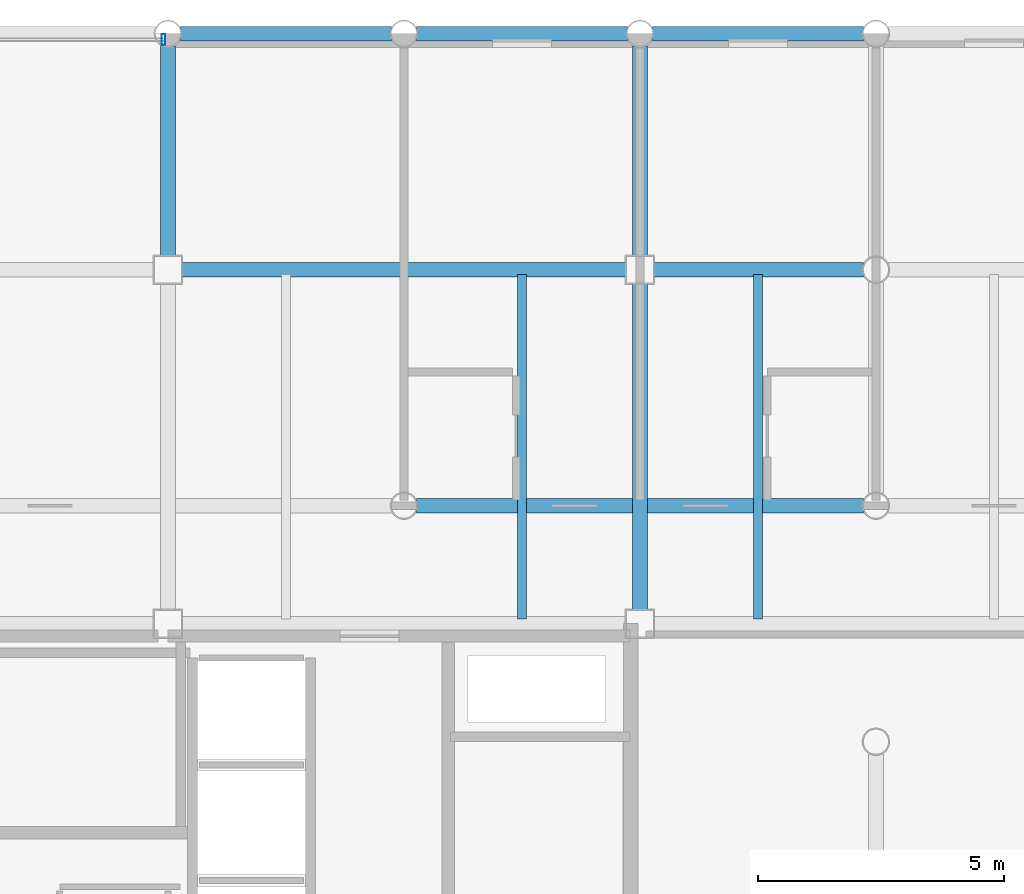
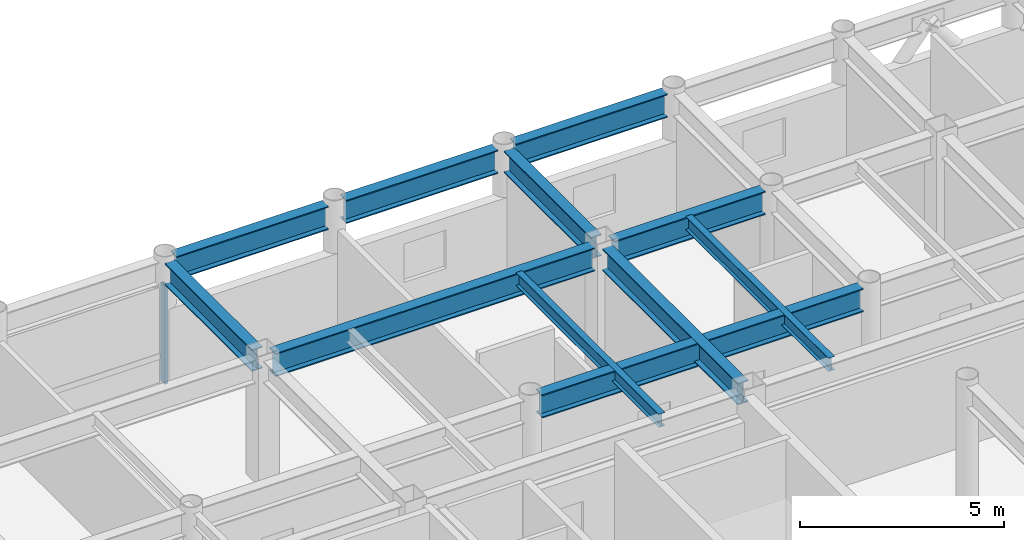
# One storey, part 14 of 22: 11 beams, 1 member, 1 element without a shape of its own.
"""IFC4 building model written with IfcOpenShell, lengths in metres."""

import ifcopenshell
import ifcopenshell.guid

model = None  # the IFC model being written
_history = None  # IfcOwnerHistory: only IFC2X3 demands one
_inside = {}  # id of a spatial element -> (the spatial element, [elements in it])
_under = {}  # id of a project, library or spatial element -> (it, [spatial elements below it])
_declared = {}  # id of a project -> (the project, [libraries it declares])
_typed = {}  # id of a type object -> (the type object, [elements of that type])
_made_of = {}  # id of a material, layer set ... -> (it, [elements and type objects made of it])


def new_model(schema):
    """Start an empty IFC model of exactly this schema.

    Asked for "IFC4X3", IfcOpenShell would pick the latest addendum, in which some entities
    have other attributes; the version numbers below select the first issue.
    IFC2X3 requires an IfcOwnerHistory on every rooted entity: one is made here for all.
    """
    global model, _history
    if schema == "IFC4X3":
        model = ifcopenshell.file(schema_version=(4, 3, 0, 0))
    else:
        model = ifcopenshell.file(schema=schema)
    _inside.clear()
    _under.clear()
    _declared.clear()
    _typed.clear()
    _made_of.clear()
    _history = None
    if model.schema == "IFC2X3":
        org = make("IfcOrganization", Name="unknown")
        user = make(
            "IfcPersonAndOrganization",
            ThePerson=make("IfcPerson", FamilyName="unknown"),
            TheOrganization=org,
        )
        app = make(
            "IfcApplication",
            ApplicationDeveloper=org,
            Version="unknown",
            ApplicationFullName="unknown",
            ApplicationIdentifier="unknown",
        )
        _history = make(
            "IfcOwnerHistory",
            OwningUser=user,
            OwningApplication=app,
            ChangeAction="ADDED",
            CreationDate=0,
        )
    return model


def make(cls, **values):
    """One entity of the class cls with the attributes given. An attribute that is None is left unset."""
    return model.create_entity(
        cls, **{name: value for name, value in values.items() if value is not None}
    )


def rooted(cls, **values):
    """An entity with a GlobalId (a new one), such as an element, a storey or a relation."""
    return make(cls, GlobalId=ifcopenshell.guid.new(), OwnerHistory=_history, **values)


def si_unit(unit_type, name, prefix=None):
    """IfcSIUnit, for example si_unit("LENGTHUNIT", "METRE", prefix="MILLI")."""
    return make("IfcSIUnit", UnitType=unit_type, Prefix=prefix, Name=name)


def assignment(units):
    """IfcUnitAssignment: the units of a project."""
    return None if units is None else make("IfcUnitAssignment", Units=units)


def point(xyz):
    """IfcCartesianPoint."""
    return None if xyz is None else make("IfcCartesianPoint", Coordinates=xyz)


def direction(xyz):
    """IfcDirection."""
    return None if xyz is None else make("IfcDirection", DirectionRatios=xyz)


def frame(location, z_axis=None, x_axis=None):
    """IfcAxis2Placement3D, a coordinate frame: its origin and axes. An axis left out is left unset."""
    return make(
        "IfcAxis2Placement3D",
        Location=point(location),
        Axis=direction(z_axis),
        RefDirection=direction(x_axis),
    )


def frame_2d(location, x_axis=None):
    """IfcAxis2Placement2D, a coordinate frame in the plane: its origin and x axis."""
    return make(
        "IfcAxis2Placement2D", Location=point(location), RefDirection=direction(x_axis)
    )


def origin():
    """The frame at (0, 0, 0) with its axes left unset."""
    return frame((0.0, 0.0, 0.0))


def origin_2d():
    """The frame at (0, 0) in the plane with its x axis left unset."""
    return frame_2d((0.0, 0.0))


def place(relative_to, where):
    """IfcLocalPlacement: puts the frame where relative to a parent placement (None: the world)."""
    return make(
        "IfcLocalPlacement", PlacementRelTo=relative_to, RelativePlacement=where
    )


def context(
    kind, dimensions, precision=None, world=None, true_north=None, identifier=None
):
    """IfcGeometricRepresentationContext, for example the 3D "Model" context."""
    return make(
        "IfcGeometricRepresentationContext",
        ContextIdentifier=identifier,
        ContextType=kind,
        CoordinateSpaceDimension=dimensions,
        Precision=precision,
        WorldCoordinateSystem=world,
        TrueNorth=true_north,
    )


def subcontext(parent, identifier, kind, view, scale=None):
    """IfcGeometricRepresentationSubContext, for example "Body" below "Model"."""
    return make(
        "IfcGeometricRepresentationSubContext",
        ContextIdentifier=identifier,
        ContextType=kind,
        ParentContext=parent,
        TargetScale=scale,
        TargetView=view,
    )


def project(units=None, contexts=None):
    """IfcProject with its units and contexts."""
    return rooted(
        "IfcProject",
        Name="project",
        RepresentationContexts=contexts,
        UnitsInContext=assignment(units),
    )


def spatial(cls, under=None, at=None, **own):
    """A site, building, storey or space (cls), placed at a placement, below another one or the project."""
    s = rooted(cls, ObjectPlacement=at, **own)
    if under is not None:
        _under.setdefault(under.id(), (under, []))[1].append(s)
    return s


def profile(cls, at=None, kind="AREA", **sizes):
    """A parametric profile (cls). Its sizes go by their IFC names, for example OverallWidth=200.0."""
    return make(cls, ProfileType=kind, Position=at, **sizes)


def hollow_rectangle(**sizes):
    """IfcRectangleHollowProfileDef."""
    return profile("IfcRectangleHollowProfileDef", **sizes)


def i_section(**sizes):
    """IfcIShapeProfileDef."""
    return profile("IfcIShapeProfileDef", **sizes)


def extrude(swept, where, along, depth):
    """IfcExtrudedAreaSolid: the profile swept, set in the frame where, extruded along a direction by depth."""
    return make(
        "IfcExtrudedAreaSolid",
        SweptArea=swept,
        Position=where,
        ExtrudedDirection=direction(along),
        Depth=depth,
    )


def shape(context_of_items, identifier, shape_type, items):
    """IfcShapeRepresentation: the items that make up one representation, for example the "Body"."""
    return make(
        "IfcShapeRepresentation",
        ContextOfItems=context_of_items,
        RepresentationIdentifier=identifier,
        RepresentationType=shape_type,
        Items=items,
    )


def material(Name=None, Category=None):
    """IfcMaterial."""
    return make("IfcMaterial", Name=Name, Category=Category)


def layer(
    of_material, thickness, ventilated=None, Name=None, Category=None, Priority=None
):
    """IfcMaterialLayer: one layer of a wall or slab, of a material (None: an air gap)."""
    return make(
        "IfcMaterialLayer",
        Material=of_material,
        LayerThickness=thickness,
        IsVentilated=ventilated,
        Name=Name,
        Category=Category,
        Priority=Priority,
    )


def layer_set(layers, Name=None):
    """IfcMaterialLayerSet."""
    return make("IfcMaterialLayerSet", MaterialLayers=layers, LayerSetName=Name)


def material_profile(
    of_material, cross_section, Name=None, Category=None, Priority=None
):
    """IfcMaterialProfile: a cross section and its material."""
    return make(
        "IfcMaterialProfile",
        Name=Name,
        Material=of_material,
        Profile=cross_section,
        Priority=Priority,
        Category=Category,
    )


def profile_set(profiles, Name=None, composite=None):
    """IfcMaterialProfileSet."""
    return make(
        "IfcMaterialProfileSet",
        Name=Name,
        MaterialProfiles=profiles,
        CompositeProfile=composite,
    )


def made_of(thing, what):
    """Note that an element or type object is made of a material, layer set ...; save() writes the relation."""
    if what is not None:
        _made_of.setdefault(what.id(), (what, []))[1].append(thing)
    return thing


def type_object(cls, material=None, **own):
    """A type object (cls), such as IfcWallType, which elements share."""
    return made_of(rooted(cls, **own), material)


def element(
    cls,
    number,
    at=None,
    inside=None,
    cuts=None,
    type_object=None,
    material=None,
    context=None,
    identifier="Body",
    shape_type=None,
    held_by="IfcProductDefinitionShape",
    body=None,
    shapes=None,
    **own,
):
    """One element of the class cls, such as IfcWall. Its Tag is "e" and its number.

    at: its placement. inside: the storey or other place that contains it. cuts: it is an
    opening in that element (IfcRelVoidsElement). A single representation is given by context,
    identifier, shape_type and body (its items); several are given by shapes. held_by: the class
    of the entity that holds the representations. save() writes the other relations.
    """
    e = rooted(cls, Tag="e%d" % number, ObjectPlacement=at, **own)
    if body is not None:
        shapes = [shape(context, identifier, shape_type, body)]
    if shapes is not None:
        e.Representation = make(held_by, Representations=shapes)
    if inside is not None:
        _inside.setdefault(inside.id(), (inside, []))[1].append(e)
    if cuts is not None:
        rooted(
            "IfcRelVoidsElement", RelatingBuildingElement=cuts, RelatedOpeningElement=e
        )
    if type_object is not None:
        _typed.setdefault(type_object.id(), (type_object, []))[1].append(e)
    return made_of(e, material)


def aggregate(whole, parts):
    """IfcRelAggregates: a whole, such as a stair, and the parts it consists of."""
    return rooted("IfcRelAggregates", RelatingObject=whole, RelatedObjects=parts)


def save(model, path):
    """Write the relations noted so far, then the file.

    IfcRelAggregates (storeys below a building ...), IfcRelContainedInSpatialStructure (elements
    in a storey), IfcRelDefinesByType, IfcRelAssociatesMaterial and IfcRelDeclares: one each for
    every whole, place, type object, material and project.
    """
    for whole, parts in _under.values():
        aggregate(whole, parts)
    for where, things in _inside.values():
        rooted(
            "IfcRelContainedInSpatialStructure",
            RelatedElements=things,
            RelatingStructure=where,
        )
    for kind, things in _typed.values():
        rooted("IfcRelDefinesByType", RelatedObjects=things, RelatingType=kind)
    for what, things in _made_of.values():
        rooted("IfcRelAssociatesMaterial", RelatedObjects=things, RelatingMaterial=what)
    for by, libraries in _declared.values():
        rooted("IfcRelDeclares", RelatingContext=by, RelatedDefinitions=libraries)
    model.write(path)


model = new_model("IFC4")

# Units and contexts
model_context = context("Model", 3, precision=1e-05, world=origin(), true_north=direction((0.0, 1.0)))
body_context = subcontext(model_context, "Body", "Model", "MODEL_VIEW")
ifc_project = project(units=[si_unit("LENGTHUNIT", "METRE"), si_unit("AREAUNIT", "SQUARE_METRE"), si_unit("VOLUMEUNIT", "CUBIC_METRE"), si_unit("PLANEANGLEUNIT", "RADIAN"), si_unit("MASSUNIT", "GRAM", prefix="KILO")], contexts=[model_context])

# Site, building, storey
site_placement = place(None, origin())
site = spatial("IfcSite", under=ifc_project, at=site_placement, CompositionType="ELEMENT")
building_placement = place(site_placement, origin())
building = spatial("IfcBuilding", under=site, at=building_placement, Name="Kallvorn Hotel Tower", CompositionType="ELEMENT")
storey_placement = place(building_placement, frame((0.0, 0.0, 206.89990234375)))
storey = spatial("IfcBuildingStorey", under=building, at=storey_placement, Name="L51", CompositionType="ELEMENT", Elevation=206.89990234375)

# Beams
ifc_material_1 = material(Name="Structural steel S355JR", Category="steel")
ifc_material_profile_1 = material_profile(ifc_material_1, i_section(OverallWidth=0.300048828125, OverallDepth=0.64990234375, WebThickness=0.01611328125, FlangeThickness=0.031005859375, at=origin_2d()), Name="HE 650 B")
ifc_profile_set_1 = profile_set([ifc_material_profile_1], Name="Structural steel S355JR")
beam_type_1 = type_object("IfcBeamType", Name="BM_HE650B", PredefinedType="BEAM", material=ifc_profile_set_1)
beam_1_placement = place(storey_placement, frame((4.800048828125, 14.675048828125, 3.34521484375), z_axis=(0.0, 1.0, 0.0), x_axis=(-1.0, 0.0, 0.0)))
element("IfcBeam", 1, at=beam_1_placement, inside=storey, type_object=beam_type_1, Name="L52 Primary Y-Girder 117", PredefinedType="BEAM", context=body_context, shape_type="SweptSolid", body=[
    extrude(i_section(OverallWidth=0.300048828125, OverallDepth=0.64990234375, WebThickness=0.01611328125, FlangeThickness=0.031005859375, at=origin_2d()), origin(), (0.0, 0.0, 1.0), 4.2705078125),
])
beam_2_placement = place(storey_placement, frame((14.39990234375, 7.47509765625, 3.34521484375), z_axis=(0.0, 1.0, 0.0), x_axis=(-1.0, 0.0, 0.0)))
element("IfcBeam", 2, at=beam_2_placement, inside=storey, type_object=beam_type_1, Name="L52 Primary Y-Girder 124", PredefinedType="BEAM", context=body_context, shape_type="SweptSolid", body=[
    extrude(i_section(OverallWidth=0.300048828125, OverallDepth=0.64990234375, WebThickness=0.01611328125, FlangeThickness=0.031005859375, at=origin_2d()), origin(), (0.0, 0.0, 1.0), 6.64990234375),
])
beam_3_placement = place(storey_placement, frame((14.39990234375, 14.675048828125, 3.34521484375), z_axis=(0.0, 1.0, 0.0), x_axis=(-1.0, 0.0, 0.0)))
element("IfcBeam", 3, at=beam_3_placement, inside=storey, type_object=beam_type_1, Name="L52 Primary Y-Girder 125", PredefinedType="BEAM", context=body_context, shape_type="SweptSolid", body=[
    extrude(i_section(OverallWidth=0.300048828125, OverallDepth=0.64990234375, WebThickness=0.01611328125, FlangeThickness=0.031005859375, at=origin_2d()), origin(), (0.0, 0.0, 1.0), 4.2705078125),
])
ifc_material_2 = material(Name="Structural steel S355JR", Category="steel")
ifc_material_profile_2 = material_profile(ifc_material_2, i_section(OverallWidth=0.300048828125, OverallDepth=0.699951171875, WebThickness=0.01708984375, FlangeThickness=0.031982421875, at=origin_2d()), Name="HE 700 B")
ifc_profile_set_2 = profile_set([ifc_material_profile_2], Name="Structural steel S355JR")
beam_type_2 = type_object("IfcBeamType", Name="BM_HE700B", PredefinedType="BEAM", material=ifc_profile_set_2)
beam_4_placement = place(storey_placement, frame((9.8544921875, 9.60009765625, 3.320068359375), z_axis=(1.0, 0.0, 0.0), x_axis=(0.0, 1.0, 0.0)))
element("IfcBeam", 4, at=beam_4_placement, inside=storey, type_object=beam_type_2, Name="L52 Primary X-Girder 47", PredefinedType="BEAM", context=body_context, shape_type="SweptSolid", body=[
    extrude(i_section(OverallWidth=0.300048828125, OverallDepth=0.699951171875, WebThickness=0.01708984375, FlangeThickness=0.031982421875, at=origin_2d()), origin(), (0.0, 0.0, 1.0), 9.091064453125),
])
beam_5_placement = place(storey_placement, frame((5.074951171875, 14.39990234375, 3.320068359375), z_axis=(1.0, 0.0, 0.0), x_axis=(0.0, 1.0, 0.0)))
element("IfcBeam", 5, at=beam_5_placement, inside=storey, type_object=beam_type_2, Name="L52 Primary X-Girder 56", PredefinedType="BEAM", context=body_context, shape_type="SweptSolid", body=[
    extrude(i_section(OverallWidth=0.300048828125, OverallDepth=0.699951171875, WebThickness=0.01708984375, FlangeThickness=0.031982421875, at=origin_2d()), origin(), (0.0, 0.0, 1.0), 9.050048828125),
])
beam_6_placement = place(storey_placement, frame((14.675048828125, 14.39990234375, 3.320068359375), z_axis=(1.0, 0.0, 0.0), x_axis=(0.0, 1.0, 0.0)))
element("IfcBeam", 6, at=beam_6_placement, inside=storey, type_object=beam_type_2, Name="L52 Primary X-Girder 57", PredefinedType="BEAM", context=body_context, shape_type="SweptSolid", body=[
    extrude(i_section(OverallWidth=0.300048828125, OverallDepth=0.699951171875, WebThickness=0.01708984375, FlangeThickness=0.031982421875, at=origin_2d()), origin(), (0.0, 0.0, 1.0), 4.2705078125),
])
for number, where, z_axis, x_axis, name in (
    (7, (5.054443359375, 19.199951171875, 3.320068359375), (1.0, 0.0, 0.0), (0.0, 1.0, 0.0), "L52 Primary X-Girder 68"),
    (8, (9.8544921875, 19.199951171875, 3.320068359375), (1.0, 0.0, 0.0), (0.0, 1.0, 0.0), "L52 Primary X-Girder 69"),
    (9, (14.654541015625, 19.199951171875, 3.320068359375), (1.0, 0.0, 0.0), (0.0, 1.0, 0.0), "L52 Primary X-Girder 70"),
):
    element("IfcBeam", number, at=place(storey_placement, frame(where, z_axis=z_axis, x_axis=x_axis)), inside=storey, type_object=beam_type_2, Name=name, PredefinedType="BEAM", context=body_context, shape_type="SweptSolid", body=[
        extrude(i_section(OverallWidth=0.300048828125, OverallDepth=0.699951171875, WebThickness=0.01708984375, FlangeThickness=0.031982421875, at=origin_2d()), origin(), (0.0, 0.0, 1.0), 4.291015625),
    ])
ifc_material_3 = material(Name="Structural steel S355JR", Category="steel")
ifc_material_profile_3 = material_profile(ifc_material_3, i_section(OverallWidth=0.179931640625, OverallDepth=0.39990234375, WebThickness=0.008544921875, FlangeThickness=0.013427734375, at=origin_2d()), Name="IPE 400")
ifc_profile_set_3 = profile_set([ifc_material_profile_3], Name="Structural steel S355JR")
beam_type_3 = type_object("IfcBeamType", Name="BM_IPE400", PredefinedType="JOIST", material=ifc_profile_set_3)
for number, where, z_axis, x_axis, name in (
    (10, (12.0, 7.300048828125, 3.47021484375), (0.0, 1.0, 0.0), (-1.0, 0.0, 0.0), "L52 Secondary Composite Joist 205"),
    (11, (16.800048828125, 7.300048828125, 3.47021484375), (0.0, 1.0, 0.0), (-1.0, 0.0, 0.0), "L52 Secondary Composite Joist 207"),
):
    element("IfcBeam", number, at=place(storey_placement, frame(where, z_axis=z_axis, x_axis=x_axis)), inside=storey, type_object=beam_type_3, Name=name, PredefinedType="JOIST", context=body_context, shape_type="SweptSolid", body=[
        extrude(i_section(OverallWidth=0.179931640625, OverallDepth=0.39990234375, WebThickness=0.008544921875, FlangeThickness=0.013427734375, at=origin_2d()), origin(), (0.0, 0.0, 1.0), 7.0),
    ])

# Curtain wall, member
ifc_material_4 = material(Name="Thermally broken black-anodised aluminium AA 6063-T6", Category="aluminium")
ifc_layer = layer(ifc_material_4, 0.22998046875)
ifc_layer_set = layer_set([ifc_layer], Name="CW_SYS_5_HOTEL_HIGH")
curtain_wall_type = type_object("IfcCurtainWallType", Name="CW_SYS_5_HOTEL_HIGH", PredefinedType="USERDEFINED", material=ifc_layer_set)
curtain_wall_placement = place(storey_placement, origin())
curtain_wall = element("IfcCurtainWall", 12, at=curtain_wall_placement, inside=storey, type_object=curtain_wall_type, Name="L51 Dark-Glass Curtain Wall CW-L51-NC", ObjectType="UNITISED CURTAIN WALL", PredefinedType="USERDEFINED")
ifc_material_5 = material(Name="Thermally broken black-anodised aluminium AA 6063-T6", Category="aluminium")
ifc_material_profile_4 = material_profile(ifc_material_5, hollow_rectangle(XDim=0.080078125, YDim=0.219970703125, WallThickness=0.0048828125, at=origin_2d()), Name="MUL 220x80")
ifc_profile_set_4 = profile_set([ifc_material_profile_4], Name="Thermally broken black-anodised aluminium AA 6063-T6")
member_type = type_object("IfcMemberType", Name="CW_MULLION_220x80", PredefinedType="MULLION", material=ifc_profile_set_4)
member_placement = place(storey_placement, frame((4.7099609375, 19.080078125, 0.02001953125), z_axis=(0.0, 0.0, 1.0), x_axis=(1.0, 0.0, 0.0)))
member = element("IfcMember", 13, at=member_placement, type_object=member_type, Name="CW-L51-NC Mullion 02", PredefinedType="MULLION", context=body_context, shape_type="SweptSolid", body=[
    extrude(hollow_rectangle(XDim=0.080078125, YDim=0.219970703125, WallThickness=0.0048828125, at=origin_2d()), origin(), (0.0, 0.0, 1.0), 2.93017578125),
])
aggregate(curtain_wall, [member])

save(model, "model.ifc")
